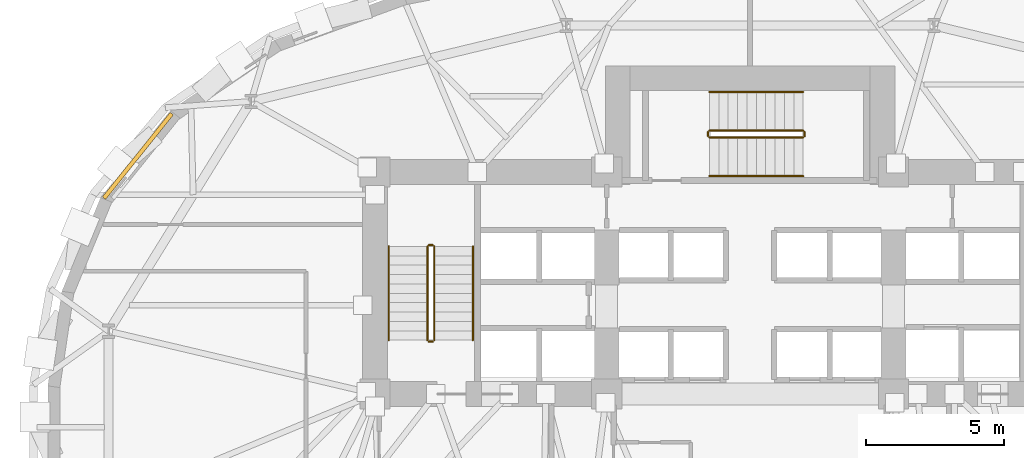
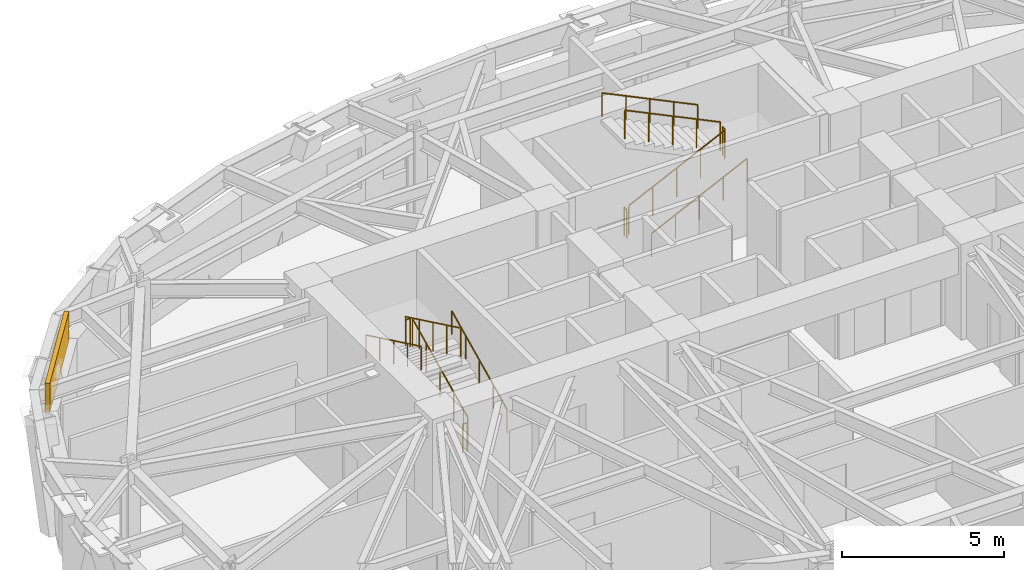
# One storey, part 11 of 13: 12 railings, 1 covering.
"""IFC4 building model written with IfcOpenShell, lengths in metres."""

import ifcopenshell
import ifcopenshell.guid

model = None  # the IFC model being written
_history = None  # IfcOwnerHistory: only IFC2X3 demands one
_inside = {}  # id of a spatial element -> (the spatial element, [elements in it])
_under = {}  # id of a project, library or spatial element -> (it, [spatial elements below it])
_declared = {}  # id of a project -> (the project, [libraries it declares])
_typed = {}  # id of a type object -> (the type object, [elements of that type])
_made_of = {}  # id of a material, layer set ... -> (it, [elements and type objects made of it])


def new_model(schema):
    """Start an empty IFC model of exactly this schema.

    Asked for "IFC4X3", IfcOpenShell would pick the latest addendum, in which some entities
    have other attributes; the version numbers below select the first issue.
    IFC2X3 requires an IfcOwnerHistory on every rooted entity: one is made here for all.
    """
    global model, _history
    if schema == "IFC4X3":
        model = ifcopenshell.file(schema_version=(4, 3, 0, 0))
    else:
        model = ifcopenshell.file(schema=schema)
    _inside.clear()
    _under.clear()
    _declared.clear()
    _typed.clear()
    _made_of.clear()
    _history = None
    if model.schema == "IFC2X3":
        org = make("IfcOrganization", Name="unknown")
        user = make(
            "IfcPersonAndOrganization",
            ThePerson=make("IfcPerson", FamilyName="unknown"),
            TheOrganization=org,
        )
        app = make(
            "IfcApplication",
            ApplicationDeveloper=org,
            Version="unknown",
            ApplicationFullName="unknown",
            ApplicationIdentifier="unknown",
        )
        _history = make(
            "IfcOwnerHistory",
            OwningUser=user,
            OwningApplication=app,
            ChangeAction="ADDED",
            CreationDate=0,
        )
    return model


def make(cls, **values):
    """One entity of the class cls with the attributes given. An attribute that is None is left unset."""
    return model.create_entity(
        cls, **{name: value for name, value in values.items() if value is not None}
    )


def rooted(cls, **values):
    """An entity with a GlobalId (a new one), such as an element, a storey or a relation."""
    return make(cls, GlobalId=ifcopenshell.guid.new(), OwnerHistory=_history, **values)


def si_unit(unit_type, name, prefix=None):
    """IfcSIUnit, for example si_unit("LENGTHUNIT", "METRE", prefix="MILLI")."""
    return make("IfcSIUnit", UnitType=unit_type, Prefix=prefix, Name=name)


def assignment(units):
    """IfcUnitAssignment: the units of a project."""
    return None if units is None else make("IfcUnitAssignment", Units=units)


def point(xyz):
    """IfcCartesianPoint."""
    return None if xyz is None else make("IfcCartesianPoint", Coordinates=xyz)


def direction(xyz):
    """IfcDirection."""
    return None if xyz is None else make("IfcDirection", DirectionRatios=xyz)


def frame(location, z_axis=None, x_axis=None):
    """IfcAxis2Placement3D, a coordinate frame: its origin and axes. An axis left out is left unset."""
    return make(
        "IfcAxis2Placement3D",
        Location=point(location),
        Axis=direction(z_axis),
        RefDirection=direction(x_axis),
    )


def frame_2d(location, x_axis=None):
    """IfcAxis2Placement2D, a coordinate frame in the plane: its origin and x axis."""
    return make(
        "IfcAxis2Placement2D", Location=point(location), RefDirection=direction(x_axis)
    )


def origin():
    """The frame at (0, 0, 0) with its axes left unset."""
    return frame((0.0, 0.0, 0.0))


def origin_2d():
    """The frame at (0, 0) in the plane with its x axis left unset."""
    return frame_2d((0.0, 0.0))


def place(relative_to, where):
    """IfcLocalPlacement: puts the frame where relative to a parent placement (None: the world)."""
    return make(
        "IfcLocalPlacement", PlacementRelTo=relative_to, RelativePlacement=where
    )


def context(
    kind, dimensions, precision=None, world=None, true_north=None, identifier=None
):
    """IfcGeometricRepresentationContext, for example the 3D "Model" context."""
    return make(
        "IfcGeometricRepresentationContext",
        ContextIdentifier=identifier,
        ContextType=kind,
        CoordinateSpaceDimension=dimensions,
        Precision=precision,
        WorldCoordinateSystem=world,
        TrueNorth=true_north,
    )


def subcontext(parent, identifier, kind, view, scale=None):
    """IfcGeometricRepresentationSubContext, for example "Body" below "Model"."""
    return make(
        "IfcGeometricRepresentationSubContext",
        ContextIdentifier=identifier,
        ContextType=kind,
        ParentContext=parent,
        TargetScale=scale,
        TargetView=view,
    )


def project(units=None, contexts=None):
    """IfcProject with its units and contexts."""
    return rooted(
        "IfcProject",
        Name="project",
        RepresentationContexts=contexts,
        UnitsInContext=assignment(units),
    )


def spatial(cls, under=None, at=None, **own):
    """A site, building, storey or space (cls), placed at a placement, below another one or the project."""
    s = rooted(cls, ObjectPlacement=at, **own)
    if under is not None:
        _under.setdefault(under.id(), (under, []))[1].append(s)
    return s


def profile(cls, at=None, kind="AREA", **sizes):
    """A parametric profile (cls). Its sizes go by their IFC names, for example OverallWidth=200.0."""
    return make(cls, ProfileType=kind, Position=at, **sizes)


def rectangle(**sizes):
    """IfcRectangleProfileDef."""
    return profile("IfcRectangleProfileDef", **sizes)


def circle(**sizes):
    """IfcCircleProfileDef."""
    return profile("IfcCircleProfileDef", **sizes)


def extrude(swept, where, along, depth):
    """IfcExtrudedAreaSolid: the profile swept, set in the frame where, extruded along a direction by depth."""
    return make(
        "IfcExtrudedAreaSolid",
        SweptArea=swept,
        Position=where,
        ExtrudedDirection=direction(along),
        Depth=depth,
    )


def shape(context_of_items, identifier, shape_type, items):
    """IfcShapeRepresentation: the items that make up one representation, for example the "Body"."""
    return make(
        "IfcShapeRepresentation",
        ContextOfItems=context_of_items,
        RepresentationIdentifier=identifier,
        RepresentationType=shape_type,
        Items=items,
    )


def material(Name=None, Category=None):
    """IfcMaterial."""
    return make("IfcMaterial", Name=Name, Category=Category)


def layer(
    of_material, thickness, ventilated=None, Name=None, Category=None, Priority=None
):
    """IfcMaterialLayer: one layer of a wall or slab, of a material (None: an air gap)."""
    return make(
        "IfcMaterialLayer",
        Material=of_material,
        LayerThickness=thickness,
        IsVentilated=ventilated,
        Name=Name,
        Category=Category,
        Priority=Priority,
    )


def layer_set(layers, Name=None):
    """IfcMaterialLayerSet."""
    return make("IfcMaterialLayerSet", MaterialLayers=layers, LayerSetName=Name)


def made_of(thing, what):
    """Note that an element or type object is made of a material, layer set ...; save() writes the relation."""
    if what is not None:
        _made_of.setdefault(what.id(), (what, []))[1].append(thing)
    return thing


def type_object(cls, material=None, **own):
    """A type object (cls), such as IfcWallType, which elements share."""
    return made_of(rooted(cls, **own), material)


def element(
    cls,
    number,
    at=None,
    inside=None,
    cuts=None,
    type_object=None,
    material=None,
    context=None,
    identifier="Body",
    shape_type=None,
    held_by="IfcProductDefinitionShape",
    body=None,
    shapes=None,
    **own,
):
    """One element of the class cls, such as IfcWall. Its Tag is "e" and its number.

    at: its placement. inside: the storey or other place that contains it. cuts: it is an
    opening in that element (IfcRelVoidsElement). A single representation is given by context,
    identifier, shape_type and body (its items); several are given by shapes. held_by: the class
    of the entity that holds the representations. save() writes the other relations.
    """
    e = rooted(cls, Tag="e%d" % number, ObjectPlacement=at, **own)
    if body is not None:
        shapes = [shape(context, identifier, shape_type, body)]
    if shapes is not None:
        e.Representation = make(held_by, Representations=shapes)
    if inside is not None:
        _inside.setdefault(inside.id(), (inside, []))[1].append(e)
    if cuts is not None:
        rooted(
            "IfcRelVoidsElement", RelatingBuildingElement=cuts, RelatedOpeningElement=e
        )
    if type_object is not None:
        _typed.setdefault(type_object.id(), (type_object, []))[1].append(e)
    return made_of(e, material)


def aggregate(whole, parts):
    """IfcRelAggregates: a whole, such as a stair, and the parts it consists of."""
    return rooted("IfcRelAggregates", RelatingObject=whole, RelatedObjects=parts)


def save(model, path):
    """Write the relations noted so far, then the file.

    IfcRelAggregates (storeys below a building ...), IfcRelContainedInSpatialStructure (elements
    in a storey), IfcRelDefinesByType, IfcRelAssociatesMaterial and IfcRelDeclares: one each for
    every whole, place, type object, material and project.
    """
    for whole, parts in _under.values():
        aggregate(whole, parts)
    for where, things in _inside.values():
        rooted(
            "IfcRelContainedInSpatialStructure",
            RelatedElements=things,
            RelatingStructure=where,
        )
    for kind, things in _typed.values():
        rooted("IfcRelDefinesByType", RelatedObjects=things, RelatingType=kind)
    for what, things in _made_of.values():
        rooted("IfcRelAssociatesMaterial", RelatedObjects=things, RelatingMaterial=what)
    for by, libraries in _declared.values():
        rooted("IfcRelDeclares", RelatingContext=by, RelatedDefinitions=libraries)
    model.write(path)


model = new_model("IFC4")

# Units and contexts
model_context = context("Model", 3, precision=1e-05, world=origin(), true_north=direction((0.0, 1.0)))
body_context = subcontext(model_context, "Body", "Model", "MODEL_VIEW")
ifc_project = project(units=[si_unit("LENGTHUNIT", "METRE"), si_unit("AREAUNIT", "SQUARE_METRE"), si_unit("VOLUMEUNIT", "CUBIC_METRE"), si_unit("PLANEANGLEUNIT", "RADIAN"), si_unit("MASSUNIT", "GRAM", prefix="KILO")], contexts=[model_context])

# Site, building, storey
site_placement = place(None, origin())
site = spatial("IfcSite", under=ifc_project, at=site_placement, CompositionType="ELEMENT")
building_placement = place(site_placement, origin())
building = spatial("IfcBuilding", under=site, at=building_placement, Name="Keldmark Tower", CompositionType="ELEMENT")
storey_placement = place(building_placement, frame((0.0, 0.0, 30.60009765625)))
storey = spatial("IfcBuildingStorey", under=building, at=storey_placement, Name="L07", CompositionType="ELEMENT", Elevation=30.60009765625)

# Covering
ifc_material_1 = material(Name="Honed Kasota Buff Dolomitic Limestone", Category="masonry")
ifc_layer = layer(ifc_material_1, 0.074951171875)
ifc_layer_set = layer_set([ifc_layer], Name="Honed Kasota Buff Dolomitic Limestone")
covering_type = type_object("IfcCoveringType", Name="Kasota Buff Limestone Spandrel Cladding Band", PredefinedType="CLADDING", material=ifc_layer_set)
covering_placement = place(storey_placement, frame((-22.19580078125, 10.03125, 2.452880859375), z_axis=(0.0, 0.0, 1.0), x_axis=(-0.625147304108, -0.780506789315, 0.0)))
element("IfcCovering", 1, at=covering_placement, inside=storey, type_object=covering_type, Name="L07 Kasota Limestone Spandrel Band 13", PredefinedType="CLADDING", context=body_context, shape_type="SweptSolid", body=[
    extrude(rectangle(XDim=3.9248046875, YDim=0.14990234375, at=origin_2d()), origin(), (0.0, 0.0, 1.0), 1.126953125),
])

# Railings
ifc_material_2 = material(Name="Painted Steel ASTM A500 Grade B", Category="steel")
railing_type_1 = type_object("IfcRailingType", Name="Painted Steel Stair Well Guard 1100 mm", PredefinedType="GUARDRAIL", material=ifc_material_2)
railing_1_placement = place(storey_placement, frame((-11.449951171875, 3.35009765625, 0.16357421875)))
element("IfcRailing", 2, at=railing_1_placement, inside=storey, type_object=railing_type_1, Name="L07 ST1 stair guard 1", PredefinedType="GUARDRAIL", context=body_context, shape_type="SweptSolid", body=[
    extrude(circle(Radius=0.02392578125, at=origin_2d()), frame((0.0, 0.0, 1.076171875), z_axis=(0.0, 0.901080338394, 0.433652192153), x_axis=(-1.0, 0.0, 0.0)), (0.0, 0.0, 1.0), 3.773193359375),
    extrude(circle(Radius=0.02099609375, at=origin_2d()), origin(), (0.0, 0.0, 1.0), 1.052001953125),
    extrude(circle(Radius=0.02099609375, at=origin_2d()), frame((0.0, 0.85009765625, 0.4091796875)), (0.0, 0.0, 1.0), 1.052001953125),
    extrude(circle(Radius=0.02099609375, at=origin_2d()), frame((0.0, 1.699951171875, 0.818115234375)), (0.0, 0.0, 1.0), 1.052001953125),
    extrude(circle(Radius=0.02099609375, at=origin_2d()), frame((0.0, 2.5498046875, 1.22705078125)), (0.0, 0.0, 1.0), 1.052001953125),
    extrude(circle(Radius=0.02099609375, at=origin_2d()), frame((0.0, 3.39990234375, 1.63623046875)), (0.0, 0.0, 1.0), 1.052001953125),
])
railing_2_placement = place(storey_placement, frame((-11.5, 6.800048828125, 1.7998046875)))
element("IfcRailing", 3, at=railing_2_placement, inside=storey, type_object=railing_type_1, Name="L07 ST1 stair guard 2", PredefinedType="GUARDRAIL", context=body_context, shape_type="SweptSolid", body=[
    extrude(circle(Radius=0.02392578125, at=origin_2d()), frame((0.0, 0.0, 1.076171875), z_axis=(-1.0, 0.0, 0.0), x_axis=(0.0, -1.0, 0.0)), (0.0, 0.0, 1.0), 0.14990234375),
    extrude(circle(Radius=0.02099609375, at=origin_2d()), origin(), (0.0, 0.0, 1.0), 1.052001953125),
    extrude(circle(Radius=0.02099609375, at=origin_2d()), frame((-0.14990234375, 0.0, 0.0)), (0.0, 0.0, 1.0), 1.052001953125),
])
railing_3_placement = place(storey_placement, frame((-11.699951171875, 6.75, 1.963623046875)))
element("IfcRailing", 4, at=railing_3_placement, inside=storey, type_object=railing_type_1, Name="L07 ST1 stair guard 3", PredefinedType="GUARDRAIL", context=body_context, shape_type="SweptSolid", body=[
    extrude(circle(Radius=0.02392578125, at=origin_2d()), frame((0.0, 0.0, 1.076171875), z_axis=(0.0, -0.901080338394, 0.433652192153), x_axis=(1.0, 0.0, 0.0)), (0.0, 0.0, 1.0), 3.773193359375),
    extrude(circle(Radius=0.02099609375, at=origin_2d()), origin(), (0.0, 0.0, 1.0), 1.052001953125),
    extrude(circle(Radius=0.02099609375, at=origin_2d()), frame((0.0, -0.85009765625, 0.4091796875)), (0.0, 0.0, 1.0), 1.052001953125),
    extrude(circle(Radius=0.02099609375, at=origin_2d()), frame((0.0, -1.699951171875, 0.818115234375)), (0.0, 0.0, 1.0), 1.052001953125),
    extrude(circle(Radius=0.02099609375, at=origin_2d()), frame((0.0, -2.5498046875, 1.22705078125)), (0.0, 0.0, 1.0), 1.052001953125),
    extrude(circle(Radius=0.02099609375, at=origin_2d()), frame((0.0, -3.39990234375, 1.63623046875)), (0.0, 0.0, 1.0), 1.052001953125),
])
railing_4_placement = place(storey_placement, frame((-11.5, 3.300048828125, 0.0)))
element("IfcRailing", 5, at=railing_4_placement, inside=storey, type_object=railing_type_1, Name="L07 ST1 stair guard 4", PredefinedType="GUARDRAIL", context=body_context, shape_type="SweptSolid", body=[
    extrude(circle(Radius=0.02392578125, at=origin_2d()), frame((0.0, 0.0, 1.076171875), z_axis=(-1.0, 0.0, 0.0), x_axis=(0.0, -1.0, 0.0)), (0.0, 0.0, 1.0), 0.14990234375),
    extrude(circle(Radius=0.02099609375, at=origin_2d()), origin(), (0.0, 0.0, 1.0), 1.052001953125),
    extrude(circle(Radius=0.02099609375, at=origin_2d()), frame((-0.14990234375, 0.0, 0.0)), (0.0, 0.0, 1.0), 1.052001953125),
])
railing_5_placement = place(storey_placement, frame((-1.47509765625, 10.699951171875, 0.16357421875)))
element("IfcRailing", 6, at=railing_5_placement, inside=storey, type_object=railing_type_1, Name="L07 ST3 stair guard 1", PredefinedType="GUARDRAIL", context=body_context, shape_type="SweptSolid", body=[
    extrude(circle(Radius=0.02392578125, at=origin_2d()), frame((0.0, 0.0, 1.076171875), z_axis=(0.901092505359, 0.0, 0.433626909666), x_axis=(0.0, 1.0, 0.0)), (0.0, 0.0, 1.0), 3.7734375),
    extrude(circle(Radius=0.02099609375, at=origin_2d()), origin(), (0.0, 0.0, 1.0), 1.052001953125),
    extrude(circle(Radius=0.02099609375, at=origin_2d()), frame((0.85009765625, 0.0, 0.4091796875)), (0.0, 0.0, 1.0), 1.052001953125),
    extrude(circle(Radius=0.02099609375, at=origin_2d()), frame((1.7001953125, 0.0, 0.818115234375)), (0.0, 0.0, 1.0), 1.052001953125),
    extrude(circle(Radius=0.02099609375, at=origin_2d()), frame((2.550048828125, 0.0, 1.22705078125)), (0.0, 0.0, 1.0), 1.052001953125),
    extrude(circle(Radius=0.02099609375, at=origin_2d()), frame((3.400146484375, 0.0, 1.63623046875)), (0.0, 0.0, 1.0), 1.052001953125),
])
railing_6_placement = place(storey_placement, frame((1.97509765625, 10.75, 1.7998046875)))
element("IfcRailing", 7, at=railing_6_placement, inside=storey, type_object=railing_type_1, Name="L07 ST3 stair guard 2", PredefinedType="GUARDRAIL", context=body_context, shape_type="SweptSolid", body=[
    extrude(circle(Radius=0.02392578125, at=origin_2d()), frame((0.0, 0.0, 1.076171875), z_axis=(0.0, 1.0, 0.0), x_axis=(-1.0, 0.0, 0.0)), (0.0, 0.0, 1.0), 0.14990234375),
    extrude(circle(Radius=0.02099609375, at=origin_2d()), origin(), (0.0, 0.0, 1.0), 1.052001953125),
    extrude(circle(Radius=0.02099609375, at=origin_2d()), frame((0.0, 0.14990234375, 0.0)), (0.0, 0.0, 1.0), 1.052001953125),
])
railing_7_placement = place(storey_placement, frame((1.925048828125, 10.949951171875, 1.963623046875)))
element("IfcRailing", 8, at=railing_7_placement, inside=storey, type_object=railing_type_1, Name="L07 ST3 stair guard 3", PredefinedType="GUARDRAIL", context=body_context, shape_type="SweptSolid", body=[
    extrude(circle(Radius=0.02392578125, at=origin_2d()), frame((0.0, 0.0, 1.076171875), z_axis=(-0.901092505359, 0.0, 0.433626909666), x_axis=(0.0, -1.0, 0.0)), (0.0, 0.0, 1.0), 3.7734375),
    extrude(circle(Radius=0.02099609375, at=origin_2d()), origin(), (0.0, 0.0, 1.0), 1.052001953125),
    extrude(circle(Radius=0.02099609375, at=origin_2d()), frame((-0.85009765625, 0.0, 0.4091796875)), (0.0, 0.0, 1.0), 1.052001953125),
    extrude(circle(Radius=0.02099609375, at=origin_2d()), frame((-1.7001953125, 0.0, 0.818115234375)), (0.0, 0.0, 1.0), 1.052001953125),
    extrude(circle(Radius=0.02099609375, at=origin_2d()), frame((-2.550048828125, 0.0, 1.22705078125)), (0.0, 0.0, 1.0), 1.052001953125),
    extrude(circle(Radius=0.02099609375, at=origin_2d()), frame((-3.400146484375, 0.0, 1.63623046875)), (0.0, 0.0, 1.0), 1.052001953125),
])
railing_8_placement = place(storey_placement, frame((-1.52490234375, 10.75, 0.0)))
element("IfcRailing", 9, at=railing_8_placement, inside=storey, type_object=railing_type_1, Name="L07 ST3 stair guard 4", PredefinedType="GUARDRAIL", context=body_context, shape_type="SweptSolid", body=[
    extrude(circle(Radius=0.02392578125, at=origin_2d()), frame((0.0, 0.0, 1.076171875), z_axis=(0.0, 1.0, 0.0), x_axis=(-1.0, 0.0, 0.0)), (0.0, 0.0, 1.0), 0.14990234375),
    extrude(circle(Radius=0.02099609375, at=origin_2d()), origin(), (0.0, 0.0, 1.0), 1.052001953125),
    extrude(circle(Radius=0.02099609375, at=origin_2d()), frame((0.0, 0.14990234375, 0.0)), (0.0, 0.0, 1.0), 1.052001953125),
])
ifc_material_3 = material(Name="Stainless Steel AISI 316L", Category="steel")
railing_type_2 = type_object("IfcRailingType", Name="Stainless Steel Stair Handrail 900 mm", PredefinedType="HANDRAIL", material=ifc_material_3)
railing_9_placement = place(storey_placement, frame((-10.050048828125, 3.35009765625, 0.16357421875)))
element("IfcRailing", 10, at=railing_9_placement, inside=storey, type_object=railing_type_2, Name="L07 ST1 stair handrail 1", PredefinedType="HANDRAIL", context=body_context, shape_type="SweptSolid", body=[
    extrude(circle(Radius=0.02392578125, at=origin_2d()), frame((0.0, 0.0, 0.8759765625), z_axis=(0.0, 0.901080338394, 0.433652192153), x_axis=(-1.0, 0.0, 0.0)), (0.0, 0.0, 1.0), 3.773193359375),
    extrude(circle(Radius=0.02099609375, at=origin_2d()), origin(), (0.0, 0.0, 1.0), 0.851806640625),
    extrude(circle(Radius=0.02099609375, at=origin_2d()), frame((0.0, 0.85009765625, 0.4091796875)), (0.0, 0.0, 1.0), 0.851806640625),
    extrude(circle(Radius=0.02099609375, at=origin_2d()), frame((0.0, 1.699951171875, 0.818115234375)), (0.0, 0.0, 1.0), 0.851806640625),
    extrude(circle(Radius=0.02099609375, at=origin_2d()), frame((0.0, 2.5498046875, 1.22705078125)), (0.0, 0.0, 1.0), 0.851806640625),
    extrude(circle(Radius=0.02099609375, at=origin_2d()), frame((0.0, 3.39990234375, 1.63623046875)), (0.0, 0.0, 1.0), 0.851806640625),
])
railing_10_placement = place(storey_placement, frame((-13.10009765625, 6.75, 1.963623046875)))
element("IfcRailing", 11, at=railing_10_placement, inside=storey, type_object=railing_type_2, Name="L07 ST1 stair handrail 2", PredefinedType="HANDRAIL", context=body_context, shape_type="SweptSolid", body=[
    extrude(circle(Radius=0.02392578125, at=origin_2d()), frame((0.0, 0.0, 0.8759765625), z_axis=(0.0, -0.901080338394, 0.433652192153), x_axis=(1.0, 0.0, 0.0)), (0.0, 0.0, 1.0), 3.773193359375),
    extrude(circle(Radius=0.02099609375, at=origin_2d()), origin(), (0.0, 0.0, 1.0), 0.851806640625),
    extrude(circle(Radius=0.02099609375, at=origin_2d()), frame((0.0, -0.85009765625, 0.4091796875)), (0.0, 0.0, 1.0), 0.851806640625),
    extrude(circle(Radius=0.02099609375, at=origin_2d()), frame((0.0, -1.699951171875, 0.818115234375)), (0.0, 0.0, 1.0), 0.851806640625),
    extrude(circle(Radius=0.02099609375, at=origin_2d()), frame((0.0, -2.5498046875, 1.22705078125)), (0.0, 0.0, 1.0), 0.851806640625),
    extrude(circle(Radius=0.02099609375, at=origin_2d()), frame((0.0, -3.39990234375, 1.63623046875)), (0.0, 0.0, 1.0), 0.851806640625),
])
railing_11_placement = place(storey_placement, frame((-1.47509765625, 9.300048828125, 0.16357421875)))
element("IfcRailing", 12, at=railing_11_placement, inside=storey, type_object=railing_type_2, Name="L07 ST3 stair handrail 1", PredefinedType="HANDRAIL", context=body_context, shape_type="SweptSolid", body=[
    extrude(circle(Radius=0.02392578125, at=origin_2d()), frame((0.0, 0.0, 0.8759765625), z_axis=(0.901092505359, 0.0, 0.433626909666), x_axis=(0.0, 1.0, 0.0)), (0.0, 0.0, 1.0), 3.7734375),
    extrude(circle(Radius=0.02099609375, at=origin_2d()), origin(), (0.0, 0.0, 1.0), 0.851806640625),
    extrude(circle(Radius=0.02099609375, at=origin_2d()), frame((0.85009765625, 0.0, 0.4091796875)), (0.0, 0.0, 1.0), 0.851806640625),
    extrude(circle(Radius=0.02099609375, at=origin_2d()), frame((1.7001953125, 0.0, 0.818115234375)), (0.0, 0.0, 1.0), 0.851806640625),
    extrude(circle(Radius=0.02099609375, at=origin_2d()), frame((2.550048828125, 0.0, 1.22705078125)), (0.0, 0.0, 1.0), 0.851806640625),
    extrude(circle(Radius=0.02099609375, at=origin_2d()), frame((3.400146484375, 0.0, 1.63623046875)), (0.0, 0.0, 1.0), 0.851806640625),
])
railing_12_placement = place(storey_placement, frame((1.925048828125, 12.35009765625, 1.963623046875)))
element("IfcRailing", 13, at=railing_12_placement, inside=storey, type_object=railing_type_2, Name="L07 ST3 stair handrail 2", PredefinedType="HANDRAIL", context=body_context, shape_type="SweptSolid", body=[
    extrude(circle(Radius=0.02392578125, at=origin_2d()), frame((0.0, 0.0, 0.8759765625), z_axis=(-0.901092505359, 0.0, 0.433626909666), x_axis=(0.0, -1.0, 0.0)), (0.0, 0.0, 1.0), 3.7734375),
    extrude(circle(Radius=0.02099609375, at=origin_2d()), origin(), (0.0, 0.0, 1.0), 0.851806640625),
    extrude(circle(Radius=0.02099609375, at=origin_2d()), frame((-0.85009765625, 0.0, 0.4091796875)), (0.0, 0.0, 1.0), 0.851806640625),
    extrude(circle(Radius=0.02099609375, at=origin_2d()), frame((-1.7001953125, 0.0, 0.818115234375)), (0.0, 0.0, 1.0), 0.851806640625),
    extrude(circle(Radius=0.02099609375, at=origin_2d()), frame((-2.550048828125, 0.0, 1.22705078125)), (0.0, 0.0, 1.0), 0.851806640625),
    extrude(circle(Radius=0.02099609375, at=origin_2d()), frame((-3.400146484375, 0.0, 1.63623046875)), (0.0, 0.0, 1.0), 0.851806640625),
])

save(model, "model.ifc")
